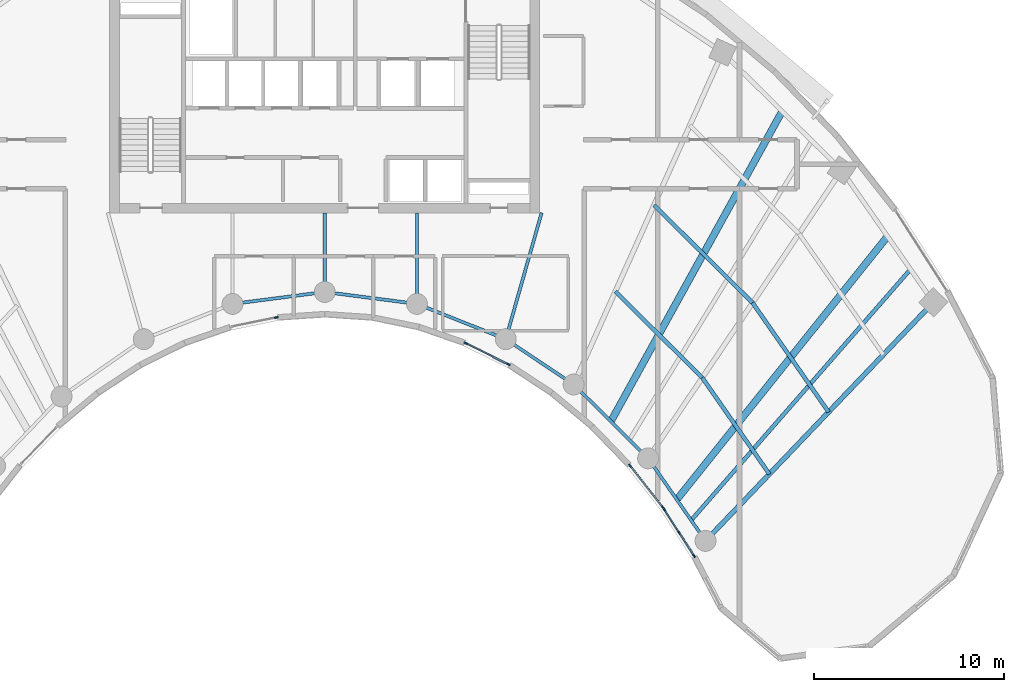
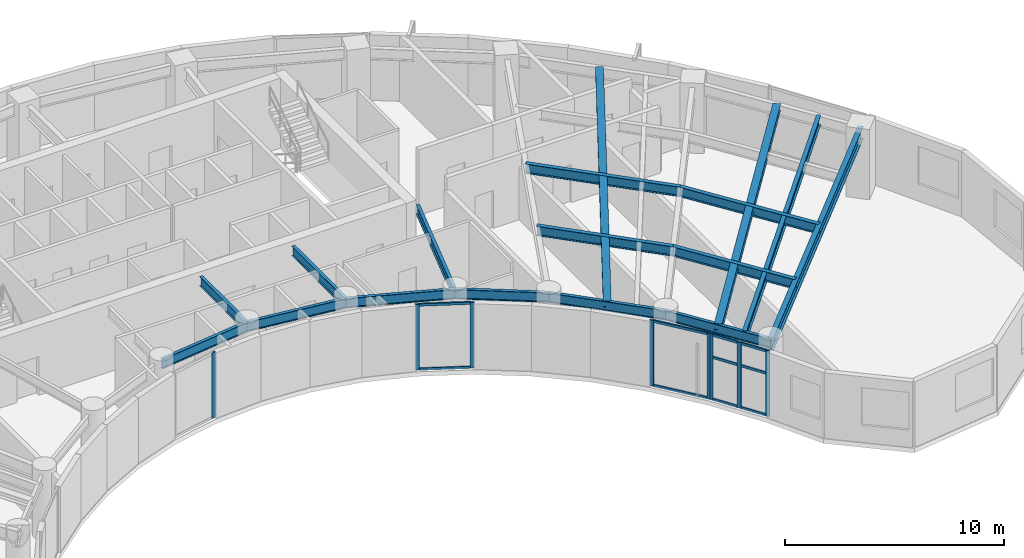
# One storey, part 3 of 14: 18 members, 17 beams, 4 elements without a shape of their own.
"""IFC4 building model written with IfcOpenShell, lengths in metres."""

from ifc_helpers import new_model, si_unit, direction, frame, origin, origin_2d, place, context, subcontext, project, spatial, rectangle, i_section, extrude, source, transform, mapped, material, layer, layer_set, material_profile, profile_set, type_object, type_shapes, element, aggregate, save


model = new_model("IFC4")

# Units and contexts
model_context = context("Model", 3, precision=1e-05, world=origin(), true_north=direction((0.0, 1.0)))
body_context = subcontext(model_context, "Body", "Model", "MODEL_VIEW")
ifc_project = project(units=[si_unit("LENGTHUNIT", "METRE"), si_unit("AREAUNIT", "SQUARE_METRE"), si_unit("VOLUMEUNIT", "CUBIC_METRE"), si_unit("PLANEANGLEUNIT", "RADIAN"), si_unit("MASSUNIT", "GRAM", prefix="KILO")], contexts=[model_context])

# Site, building, storey
site_placement = place(None, origin())
site = spatial("IfcSite", under=ifc_project, at=site_placement, CompositionType="ELEMENT")
building_placement = place(site_placement, origin())
building = spatial("IfcBuilding", under=site, at=building_placement, Name="Breltana Convention Tower", CompositionType="ELEMENT")
storey_placement = place(building_placement, frame((0.0, 0.0, 177.89990234375)))
storey = spatial("IfcBuildingStorey", under=building, at=storey_placement, Name="L43", CompositionType="ELEMENT", Elevation=177.89990234375)

# Beams
ifc_material_1 = material(Name="Steel ASTM A992 Grade 50", Category="steel")
ifc_material_profile_1 = material_profile(ifc_material_1, i_section(OverallWidth=0.2099609375, OverallDepth=0.537109375, WebThickness=0.010986328125, FlangeThickness=0.017333984375, at=origin_2d()), Name="W21X68")
ifc_profile_set_1 = profile_set([ifc_material_profile_1], Name="Steel ASTM A992 Grade 50")
beam_type_1 = type_object("IfcBeamType", Name="BM-JSG-04", PredefinedType="JOIST", material=ifc_profile_set_1)
shared_shape_1 = source(origin(), body_context, "Body", "SweptSolid", [
    extrude(i_section(OverallWidth=0.2099609375, OverallDepth=0.537109375, WebThickness=0.010986328125, FlangeThickness=0.017333984375, at=origin_2d()), origin(), (0.0, 0.0, 1.0), 6.435302734375),
])
beam_1_placement = place(storey_placement, frame((63.27392578125, 56.06298828125, 3.381591796875), z_axis=(0.710116389828, -0.704084308089, 0.0), x_axis=(0.704084308089, 0.710116389828, 0.0)))
element("IfcBeam", 1, at=beam_1_placement, inside=storey, type_object=beam_type_1, Name="L43 Composite Floor Joist 09.1", PredefinedType="JOIST", context=body_context, shape_type="MappedRepresentation", body=[
    mapped(shared_shape_1, transform((0.0, 0.0, 0.0), scale=1.0)),
])
shared_shape_2 = source(origin(), body_context, "Body", "SweptSolid", [
    extrude(i_section(OverallWidth=0.2099609375, OverallDepth=0.537109375, WebThickness=0.010986328125, FlangeThickness=0.017333984375, at=origin_2d()), origin(), (0.0, 0.0, 1.0), 7.29296875),
])
beam_2_placement = place(storey_placement, frame((65.309326171875, 60.602294921875, 3.381591796875), z_axis=(0.710096551013, -0.704104316305, 0.0), x_axis=(0.704104316305, 0.710096551013, 0.0)))
element("IfcBeam", 2, at=beam_2_placement, inside=storey, type_object=beam_type_1, Name="L43 Composite Floor Joist 09.2", PredefinedType="JOIST", context=body_context, shape_type="MappedRepresentation", body=[
    mapped(shared_shape_2, transform((0.0, 0.0, 0.0), scale=1.0)),
])
ifc_material_profile_2 = material_profile(ifc_material_1, i_section(OverallWidth=0.368896484375, OverallDepth=0.35595703125, WebThickness=0.01123046875, FlangeThickness=0.01806640625, at=origin_2d()), Name="W14X90")
ifc_profile_set_2 = profile_set([ifc_material_profile_2], Name="Steel ASTM A992 Grade 50")
beam_type_2 = type_object("IfcBeamType", Name="BM-JSG-09", PredefinedType="JOIST", material=ifc_profile_set_2)
shared_shape_3 = source(origin(), body_context, "Body", "SweptSolid", [
    extrude(i_section(OverallWidth=0.368896484375, OverallDepth=0.35595703125, WebThickness=0.01123046875, FlangeThickness=0.01806640625, at=origin_2d()), origin(), (0.0, 0.0, 1.0), 18.617431640625),
])
beam_3_placement = place(storey_placement, frame((63.038818359375, 49.234130859375, 3.47216796875), z_axis=(0.483405602507, 0.875396495004, 0.0), x_axis=(-0.875396495004, 0.483405602507, 0.0)))
element("IfcBeam", 3, at=beam_3_placement, inside=storey, type_object=beam_type_2, Name="L43 Mid-Bay Radial Trimmer 09", PredefinedType="JOIST", context=body_context, shape_type="MappedRepresentation", body=[
    mapped(shared_shape_3, transform((0.0, 0.0, 0.0), scale=1.0)),
])
shared_shape_4 = source(origin(), body_context, "Body", "SweptSolid", [
    extrude(i_section(OverallWidth=0.2099609375, OverallDepth=0.537109375, WebThickness=0.010986328125, FlangeThickness=0.017333984375, at=origin_2d()), origin(), (0.0, 0.0, 1.0), 6.172119140625),
])
beam_4_placement = place(storey_placement, frame((67.84375, 51.531982421875, 3.381591796875), z_axis=(0.571211663392, -0.820802799462, 0.0), x_axis=(0.820802799462, 0.571211663392, 0.0)))
element("IfcBeam", 4, at=beam_4_placement, inside=storey, type_object=beam_type_1, Name="L43 Composite Floor Joist 10.1", PredefinedType="JOIST", context=body_context, shape_type="MappedRepresentation", body=[
    mapped(shared_shape_4, transform((0.0, 0.0, 0.0), scale=1.0)),
])
shared_shape_5 = source(origin(), body_context, "Body", "SweptSolid", [
    extrude(i_section(OverallWidth=0.2099609375, OverallDepth=0.537109375, WebThickness=0.010986328125, FlangeThickness=0.017333984375, at=origin_2d()), origin(), (0.0, 0.0, 1.0), 6.99462890625),
])
beam_5_placement = place(storey_placement, frame((70.488037109375, 55.46728515625, 3.381591796875), z_axis=(0.571206630732, -0.820806301759, 0.0), x_axis=(0.820806301759, 0.571206630732, 0.0)))
element("IfcBeam", 5, at=beam_5_placement, inside=storey, type_object=beam_type_1, Name="L43 Composite Floor Joist 10.2", PredefinedType="JOIST", context=body_context, shape_type="MappedRepresentation", body=[
    mapped(shared_shape_5, transform((0.0, 0.0, 0.0), scale=1.0)),
])
shared_shape_6 = source(origin(), body_context, "Body", "SweptSolid", [
    extrude(i_section(OverallWidth=0.368896484375, OverallDepth=0.35595703125, WebThickness=0.01123046875, FlangeThickness=0.01806640625, at=origin_2d()), origin(), (0.0, 0.0, 1.0), 17.7236328125),
])
beam_6_placement = place(storey_placement, frame((66.505615234375, 45.124267578125, 3.47216796875), z_axis=(0.624829427563, 0.78076128647, 0.0), x_axis=(-0.78076128647, 0.624829427563, 0.0)))
element("IfcBeam", 6, at=beam_6_placement, inside=storey, type_object=beam_type_2, Name="L43 Mid-Bay Radial Trimmer 10", PredefinedType="JOIST", context=body_context, shape_type="MappedRepresentation", body=[
    mapped(shared_shape_6, transform((0.0, 0.0, 0.0), scale=1.0)),
])
shared_shape_7 = source(origin(), body_context, "Body", "SweptSolid", [
    extrude(i_section(OverallWidth=0.2099609375, OverallDepth=0.537109375, WebThickness=0.010986328125, FlangeThickness=0.017333984375, at=origin_2d()), origin(), (0.0, 0.0, 1.0), 17.515625),
])
beam_7_placement = place(storey_placement, frame((67.260498046875, 44.03955078125, 3.381591796875), z_axis=(0.658051548324, 0.752972881151, 0.0), x_axis=(-0.752972881151, 0.658051548324, 0.0)))
element("IfcBeam", 7, at=beam_7_placement, inside=storey, type_object=beam_type_1, Name="L43 Quarter-Bay Radial Trimmer 10", PredefinedType="JOIST", context=body_context, shape_type="MappedRepresentation", body=[
    mapped(shared_shape_7, transform((0.0, 0.0, 0.0), scale=1.0)),
])
ifc_material_profile_3 = material_profile(ifc_material_1, i_section(OverallWidth=0.25390625, OverallDepth=0.68798828125, WebThickness=0.01318359375, FlangeThickness=0.02099609375, at=origin_2d()), Name="W27X102")
ifc_profile_set_3 = profile_set([ifc_material_profile_3], Name="Steel ASTM A992 Grade 50")
beam_type_3 = type_object("IfcBeamType", Name="BM-RG-W27X102", PredefinedType="USERDEFINED", material=ifc_profile_set_3)
shared_shape_8 = source(origin(), body_context, "Body", "SweptSolid", [
    extrude(i_section(OverallWidth=0.25390625, OverallDepth=0.68798828125, WebThickness=0.01318359375, FlangeThickness=0.02099609375, at=origin_2d()), origin(), (0.0, 0.0, 1.0), 17.341064453125),
])
type_shapes(beam_type_3, [shared_shape_8])
beam_8_placement = place(storey_placement, frame((68.015380859375, 42.95458984375, 3.30615234375), z_axis=(0.690716462293, 0.723125693581, 0.0), x_axis=(-0.723125693581, 0.690716462293, 0.0)))
element("IfcBeam", 8, at=beam_8_placement, inside=storey, type_object=beam_type_3, Name="L43 Radial Floor Girder R11", ObjectType="GIRDER", PredefinedType="USERDEFINED", context=body_context, shape_type="MappedRepresentation", body=[
    mapped(shared_shape_8, transform((0.0, 0.0, 0.0), scale=1.0)),
])
ifc_material_profile_4 = material_profile(ifc_material_1, i_section(OverallWidth=0.166015625, OverallDepth=0.534912109375, WebThickness=0.01025390625, FlangeThickness=0.0166015625, at=origin_2d()), Name="W21X57")
ifc_profile_set_4 = profile_set([ifc_material_profile_4], Name="Steel ASTM A992 Grade 50")
beam_type_4 = type_object("IfcBeamType", Name="BM-BM-W21X57", PredefinedType="BEAM", material=ifc_profile_set_4)
shared_shape_9 = source(origin(), body_context, "Body", "SweptSolid", [
    extrude(i_section(OverallWidth=0.166015625, OverallDepth=0.534912109375, WebThickness=0.01025390625, FlangeThickness=0.0166015625, at=origin_2d()), origin(), (0.0, 0.0, 1.0), 6.904541015625),
])
type_shapes(beam_type_4, [shared_shape_9])
beam_9_placement = place(storey_placement, frame((59.39990234375, 60.199951171875, 3.382568359375), z_axis=(-0.273006781054, -0.962012108811, 0.0), x_axis=(0.962012108811, -0.273006781054, 0.0)))
element("IfcBeam", 9, at=beam_9_placement, inside=storey, type_object=beam_type_4, Name="L43 South Core Tie Girder R08", PredefinedType="BEAM", context=body_context, shape_type="MappedRepresentation", body=[
    mapped(shared_shape_9, transform((0.0, 0.0, 0.0), scale=1.0)),
])
shared_shape_10 = source(origin(), body_context, "Body", "SweptSolid", [
    extrude(i_section(OverallWidth=0.166015625, OverallDepth=0.534912109375, WebThickness=0.01025390625, FlangeThickness=0.0166015625, at=origin_2d()), origin(), (0.0, 0.0, 1.0), 4.789306640625),
])
beam_10_placement = place(storey_placement, frame((52.846435546875, 60.199951171875, 3.382568359375), z_axis=(0.0, -1.0, 0.0), x_axis=(1.0, 0.0, 0.0)))
element("IfcBeam", 10, at=beam_10_placement, inside=storey, type_object=beam_type_4, Name="L43 South Core Tie Girder R07", PredefinedType="BEAM", context=body_context, shape_type="MappedRepresentation", body=[
    mapped(shared_shape_10, transform((0.0, 0.0, 0.0), scale=1.0)),
])
shared_shape_11 = source(origin(), body_context, "Body", "SweptSolid", [
    extrude(i_section(OverallWidth=0.166015625, OverallDepth=0.534912109375, WebThickness=0.01025390625, FlangeThickness=0.0166015625, at=origin_2d()), origin(), (0.0, 0.0, 1.0), 4.1640625),
])
beam_11_placement = place(storey_placement, frame((48.0, 60.199951171875, 3.382568359375), z_axis=(0.0, -1.0, 0.0), x_axis=(1.0, 0.0, 0.0)))
element("IfcBeam", 11, at=beam_11_placement, inside=storey, type_object=beam_type_4, Name="L43 South Core Tie Girder R06", PredefinedType="BEAM", context=body_context, shape_type="MappedRepresentation", body=[
    mapped(shared_shape_11, transform((0.0, 0.0, 0.0), scale=1.0)),
])
shared_shape_12 = source(origin(), body_context, "Body", "SweptSolid", [
    extrude(i_section(OverallWidth=0.166015625, OverallDepth=0.534912109375, WebThickness=0.01025390625, FlangeThickness=0.0166015625, at=origin_2d()), origin(), (0.0, 0.0, 1.0), 5.022705078125),
])
beam_12_placement = place(storey_placement, frame((52.846435546875, 55.41064453125, 3.382568359375), z_axis=(0.929458966248, -0.368925507469, 0.0), x_axis=(0.368925507469, 0.929458966248, 0.0)))
element("IfcBeam", 12, at=beam_12_placement, inside=storey, type_object=beam_type_4, Name="L43 Inner Ring Beam 07", PredefinedType="BEAM", context=body_context, shape_type="MappedRepresentation", body=[
    mapped(shared_shape_12, transform((0.0, 0.0, 0.0), scale=1.0)),
])
shared_shape_13 = source(origin(), body_context, "Body", "SweptSolid", [
    extrude(i_section(OverallWidth=0.166015625, OverallDepth=0.534912109375, WebThickness=0.01025390625, FlangeThickness=0.0166015625, at=origin_2d()), origin(), (0.0, 0.0, 1.0), 4.88671875),
])
for number, where, z_axis, x_axis, name in (
    (13, (43.153564453125, 55.41064453125, 3.382568359375), (0.991780525565, 0.127950729231, 0.0), (-0.127950729231, 0.991780525565, 0.0), "L43 Inner Ring Beam 05"),
    (14, (48.0, 56.035888671875, 3.382568359375), (0.991780525565, -0.127950729231, 0.0), (0.127950729231, 0.991780525565, 0.0), "L43 Inner Ring Beam 06"),
):
    element("IfcBeam", number, at=place(storey_placement, frame(where, z_axis=z_axis, x_axis=x_axis)), inside=storey, type_object=beam_type_4, Name=name, PredefinedType="BEAM", context=body_context, shape_type="MappedRepresentation", body=[
        mapped(shared_shape_13, transform((0.0, 0.0, 0.0), scale=1.0)),
    ])
shared_shape_14 = source(origin(), body_context, "Body", "SweptSolid", [
    extrude(i_section(OverallWidth=0.166015625, OverallDepth=0.534912109375, WebThickness=0.01025390625, FlangeThickness=0.0166015625, at=origin_2d()), origin(), (0.0, 0.0, 1.0), 4.2900390625),
])
beam_13_placement = place(storey_placement, frame((57.514892578125, 53.5576171875, 3.382568359375), z_axis=(0.831515827753, -0.555501060482, 0.0), x_axis=(0.555501060482, 0.831515827753, 0.0)))
element("IfcBeam", 15, at=beam_13_placement, inside=storey, type_object=beam_type_4, Name="L43 Inner Ring Beam 08", PredefinedType="BEAM", context=body_context, shape_type="MappedRepresentation", body=[
    mapped(shared_shape_14, transform((0.0, 0.0, 0.0), scale=1.0)),
])
shared_shape_15 = source(origin(), body_context, "Body", "SweptSolid", [
    extrude(i_section(OverallWidth=0.166015625, OverallDepth=0.534912109375, WebThickness=0.01025390625, FlangeThickness=0.0166015625, at=origin_2d()), origin(), (0.0, 0.0, 1.0), 5.51171875),
])
beam_14_placement = place(storey_placement, frame((61.08203125, 51.174560546875, 3.382568359375), z_axis=(0.710090360749, -0.704110559196, 0.0), x_axis=(0.704110559196, 0.710090360749, 0.0)))
element("IfcBeam", 16, at=beam_14_placement, inside=storey, type_object=beam_type_4, Name="L43 Inner Ring Beam 09", PredefinedType="BEAM", context=body_context, shape_type="MappedRepresentation", body=[
    mapped(shared_shape_15, transform((0.0, 0.0, 0.0), scale=1.0)),
])
shared_shape_16 = source(origin(), body_context, "Body", "SweptSolid", [
    extrude(i_section(OverallWidth=0.166015625, OverallDepth=0.534912109375, WebThickness=0.01025390625, FlangeThickness=0.0166015625, at=origin_2d()), origin(), (0.0, 0.0, 1.0), 5.286376953125),
])
beam_15_placement = place(storey_placement, frame((64.995849609375, 47.293701171875, 3.382568359375), z_axis=(0.571194382458, -0.82081482531, 0.0), x_axis=(0.82081482531, 0.571194382458, 0.0)))
element("IfcBeam", 17, at=beam_15_placement, inside=storey, type_object=beam_type_4, Name="L43 Inner Ring Beam 10", PredefinedType="BEAM", context=body_context, shape_type="MappedRepresentation", body=[
    mapped(shared_shape_16, transform((0.0, 0.0, 0.0), scale=1.0)),
])

# Curtain wall, members
ifc_material_2 = material(Name="Aluminium Anodised Bronze Frame", Category="aluminium")
ifc_layer = layer(ifc_material_2, 0.18994140625, Name="Aluminium Anodised Bronze Frame")
ifc_layer_set = layer_set([ifc_layer], Name="Aluminium Anodised Bronze Frame")
curtain_wall_type = type_object("IfcCurtainWallType", Name="CW-SYS-1", PredefinedType="NOTDEFINED", material=ifc_layer_set)
curtain_wall_1_placement = place(storey_placement, origin())
curtain_wall_1 = element("IfcCurtainWall", 18, at=curtain_wall_1_placement, inside=storey, type_object=curtain_wall_type, Name="L43 inner south-court glazing 1", PredefinedType="NOTDEFINED")
ifc_material_3 = material(Name="Aluminium Anodised Bronze", Category="aluminium")
ifc_material_profile_5 = material_profile(ifc_material_3, rectangle(XDim=0.080078125, YDim=0.199951171875, at=origin_2d()), Name="CWM-80X200")
ifc_profile_set_5 = profile_set([ifc_material_profile_5], Name="Aluminium Anodised Bronze")
member_type_1 = type_object("IfcMemberType", Name="CWM-200", PredefinedType="MULLION", material=ifc_profile_set_5)
shared_shape_17 = source(origin(), body_context, "Body", "SweptSolid", [
    extrude(rectangle(XDim=0.080078125, YDim=0.199951171875, at=origin_2d()), origin(), (0.0, 0.0, 1.0), 3.650146484375),
])
member_1_placement = place(storey_placement, frame((67.40966796875, 42.17041015625, 0.0), z_axis=(0.0, 0.0, 1.0), x_axis=(-0.841546744491, -0.540184298954, 0.0)))
member_1 = element("IfcMember", 19, at=member_1_placement, type_object=member_type_1, Name="CW-01 mullion 1", PredefinedType="MULLION", context=body_context, shape_type="MappedRepresentation", body=[
    mapped(shared_shape_17, transform((0.0, 0.0, 0.0), scale=1.0)),
])
member_2_placement = place(storey_placement, frame((66.626220703125, 43.390869140625, 0.0), z_axis=(0.0, 0.0, 1.0), x_axis=(-0.841546744491, -0.540184298954, 0.0)))
member_2 = element("IfcMember", 20, at=member_2_placement, type_object=member_type_1, Name="CW-01 mullion 2", PredefinedType="MULLION", context=body_context, shape_type="MappedRepresentation", body=[
    mapped(shared_shape_17, transform((0.0, 0.0, 0.0), scale=1.0)),
])
member_3_placement = place(storey_placement, frame((65.843017578125, 44.611328125, 0.0), z_axis=(0.0, 0.0, 1.0), x_axis=(-0.841546744491, -0.540184298954, 0.0)))
member_3 = element("IfcMember", 21, at=member_3_placement, type_object=member_type_1, Name="CW-01 mullion 3", PredefinedType="MULLION", context=body_context, shape_type="MappedRepresentation", body=[
    mapped(shared_shape_17, transform((0.0, 0.0, 0.0), scale=1.0)),
])

curtain_wall_2_placement = place(storey_placement, origin())
curtain_wall_2 = element("IfcCurtainWall", 22, at=curtain_wall_2_placement, inside=storey, type_object=curtain_wall_type, Name="L43 inner south-court glazing 2", PredefinedType="NOTDEFINED")
member_4_placement = place(storey_placement, frame((65.78662109375, 44.6904296875, 0.0), z_axis=(0.0, 0.0, 1.0), x_axis=(-0.786051168431, -0.618161435717, 0.0)))
member_4 = element("IfcMember", 23, at=member_4_placement, type_object=member_type_1, Name="CW-01 mullion 1", PredefinedType="MULLION", context=body_context, shape_type="MappedRepresentation", body=[
    mapped(shared_shape_17, transform((0.0, 0.0, 0.0), scale=1.0)),
])
member_5_placement = place(storey_placement, frame((64.045166015625, 46.905029296875, 0.0), z_axis=(0.0, 0.0, 1.0), x_axis=(-0.786051168431, -0.618161435717, 0.0)))
member_5 = element("IfcMember", 24, at=member_5_placement, type_object=member_type_1, Name="CW-01 mullion 2", PredefinedType="MULLION", context=body_context, shape_type="MappedRepresentation", body=[
    mapped(shared_shape_17, transform((0.0, 0.0, 0.0), scale=1.0)),
])

curtain_wall_3_placement = place(storey_placement, origin())
curtain_wall_3 = element("IfcCurtainWall", 25, at=curtain_wall_3_placement, inside=storey, type_object=curtain_wall_type, Name="L43 inner south-court glazing 3", PredefinedType="NOTDEFINED")
member_6_placement = place(storey_placement, frame((57.65625, 52.23095703125, 0.0), z_axis=(0.0, 0.0, 1.0), x_axis=(-0.444115496562, -0.895969545082, 0.0)))
member_6 = element("IfcMember", 26, at=member_6_placement, type_object=member_type_1, Name="CW-01 mullion 1", PredefinedType="MULLION", context=body_context, shape_type="MappedRepresentation", body=[
    mapped(shared_shape_17, transform((0.0, 0.0, 0.0), scale=1.0)),
])
member_7_placement = place(storey_placement, frame((55.412353515625, 53.34326171875, 0.0), z_axis=(0.0, 0.0, 1.0), x_axis=(-0.444115496562, -0.895969545082, 0.0)))
member_7 = element("IfcMember", 27, at=member_7_placement, type_object=member_type_1, Name="CW-01 mullion 2", PredefinedType="MULLION", context=body_context, shape_type="MappedRepresentation", body=[
    mapped(shared_shape_17, transform((0.0, 0.0, 0.0), scale=1.0)),
])

# Curtain wall, member
curtain_wall_4_placement = place(storey_placement, origin())
curtain_wall_4 = element("IfcCurtainWall", 28, at=curtain_wall_4_placement, inside=storey, type_object=curtain_wall_type, Name="L43 inner south-court glazing 4", PredefinedType="NOTDEFINED")
member_8_placement = place(storey_placement, frame((45.458740234375, 54.69677734375, 0.0), z_axis=(0.0, 0.0, 1.0), x_axis=(0.200861178299, -0.979619715529, 0.0)))
member_8 = element("IfcMember", 29, at=member_8_placement, type_object=member_type_1, Name="CW-01 mullion 1", PredefinedType="MULLION", context=body_context, shape_type="MappedRepresentation", body=[
    mapped(shared_shape_17, transform((0.0, 0.0, 0.0), scale=1.0)),
])
aggregate(curtain_wall_4, [member_8])

# Member
ifc_material_profile_6 = material_profile(ifc_material_3, rectangle(XDim=0.080078125, YDim=0.139892578125, at=origin_2d()), Name="CWT-80X140")
ifc_profile_set_6 = profile_set([ifc_material_profile_6], Name="Aluminium Anodised Bronze")
member_type_2 = type_object("IfcMemberType", Name="CWT-140", PredefinedType="USERDEFINED", material=ifc_profile_set_6)
shared_shape_18 = source(origin(), body_context, "Body", "SweptSolid", [
    extrude(rectangle(XDim=0.080078125, YDim=0.139892578125, at=origin_2d()), origin(), (0.0, 0.0, 1.0), 1.3701171875),
])
member_9_placement = place(storey_placement, frame((67.38818359375, 42.2041015625, 0.0400390625), z_axis=(-0.540226175019, 0.841519863, 0.0), x_axis=(-0.841519863, -0.540226175019, 0.0)))
member_9 = element("IfcMember", 30, at=member_9_placement, type_object=member_type_2, Name="CW-01 transom 1.1", ObjectType="TRANSOM", PredefinedType="USERDEFINED", context=body_context, shape_type="MappedRepresentation", body=[
    mapped(shared_shape_18, transform((0.0, 0.0, 0.0), scale=1.0)),
])

member_10_placement = place(storey_placement, frame((67.38818359375, 42.2041015625, 2.37255859375), z_axis=(-0.540226175019, 0.841519863, 0.0), x_axis=(-0.841519863, -0.540226175019, 0.0)))
member_10 = element("IfcMember", 31, at=member_10_placement, type_object=member_type_2, Name="CW-01 transom 1.2", ObjectType="TRANSOM", PredefinedType="USERDEFINED", context=body_context, shape_type="MappedRepresentation", body=[
    mapped(shared_shape_18, transform((0.0, 0.0, 0.0), scale=1.0)),
])

member_11_placement = place(storey_placement, frame((67.38818359375, 42.2041015625, 3.610107421875), z_axis=(-0.540226175019, 0.841519863, 0.0), x_axis=(-0.841519863, -0.540226175019, 0.0)))
member_11 = element("IfcMember", 32, at=member_11_placement, type_object=member_type_2, Name="CW-01 transom 1.3", ObjectType="TRANSOM", PredefinedType="USERDEFINED", context=body_context, shape_type="MappedRepresentation", body=[
    mapped(shared_shape_18, transform((0.0, 0.0, 0.0), scale=1.0)),
])

member_12_placement = place(storey_placement, frame((66.604736328125, 43.424560546875, 0.0400390625), z_axis=(-0.540226175019, 0.841519863, 0.0), x_axis=(-0.841519863, -0.540226175019, 0.0)))
member_12 = element("IfcMember", 33, at=member_12_placement, type_object=member_type_2, Name="CW-01 transom 2.1", ObjectType="TRANSOM", PredefinedType="USERDEFINED", context=body_context, shape_type="MappedRepresentation", body=[
    mapped(shared_shape_18, transform((0.0, 0.0, 0.0), scale=1.0)),
])

member_13_placement = place(storey_placement, frame((66.604736328125, 43.424560546875, 2.37255859375), z_axis=(-0.540226175019, 0.841519863, 0.0), x_axis=(-0.841519863, -0.540226175019, 0.0)))
member_13 = element("IfcMember", 34, at=member_13_placement, type_object=member_type_2, Name="CW-01 transom 2.2", ObjectType="TRANSOM", PredefinedType="USERDEFINED", context=body_context, shape_type="MappedRepresentation", body=[
    mapped(shared_shape_18, transform((0.0, 0.0, 0.0), scale=1.0)),
])

member_14_placement = place(storey_placement, frame((66.604736328125, 43.424560546875, 3.610107421875), z_axis=(-0.540226175019, 0.841519863, 0.0), x_axis=(-0.841519863, -0.540226175019, 0.0)))
member_14 = element("IfcMember", 35, at=member_14_placement, type_object=member_type_2, Name="CW-01 transom 2.3", ObjectType="TRANSOM", PredefinedType="USERDEFINED", context=body_context, shape_type="MappedRepresentation", body=[
    mapped(shared_shape_18, transform((0.0, 0.0, 0.0), scale=1.0)),
])

aggregate(curtain_wall_1, [member_1, member_2, member_3, member_9, member_10, member_11, member_12, member_13, member_14])

shared_shape_19 = source(origin(), body_context, "Body", "SweptSolid", [
    extrude(rectangle(XDim=0.080078125, YDim=0.139892578125, at=origin_2d()), origin(), (0.0, 0.0, 1.0), 2.7373046875),
])
member_15_placement = place(storey_placement, frame((65.761962890625, 44.721923828125, 0.0400390625), z_axis=(-0.618179938224, 0.786036617453, 0.0), x_axis=(-0.786036617453, -0.618179938224, 0.0)))
member_15 = element("IfcMember", 36, at=member_15_placement, type_object=member_type_2, Name="CW-01 transom 1.1", ObjectType="TRANSOM", PredefinedType="USERDEFINED", context=body_context, shape_type="MappedRepresentation", body=[
    mapped(shared_shape_19, transform((0.0, 0.0, 0.0), scale=1.0)),
])

member_16_placement = place(storey_placement, frame((65.761962890625, 44.721923828125, 3.610107421875), z_axis=(-0.618179938224, 0.786036617453, 0.0), x_axis=(-0.786036617453, -0.618179938224, 0.0)))
member_16 = element("IfcMember", 37, at=member_16_placement, type_object=member_type_2, Name="CW-01 transom 1.2", ObjectType="TRANSOM", PredefinedType="USERDEFINED", context=body_context, shape_type="MappedRepresentation", body=[
    mapped(shared_shape_19, transform((0.0, 0.0, 0.0), scale=1.0)),
])

aggregate(curtain_wall_2, [member_4, member_5, member_15, member_16])

shared_shape_20 = source(origin(), body_context, "Body", "SweptSolid", [
    extrude(rectangle(XDim=0.080078125, YDim=0.139892578125, at=origin_2d()), origin(), (0.0, 0.0, 1.0), 2.42431640625),
])
member_17_placement = place(storey_placement, frame((57.620361328125, 52.248779296875, 0.0400390625), z_axis=(-0.895932597015, 0.44419002871, 0.0), x_axis=(-0.44419002871, -0.895932597015, 0.0)))
member_17 = element("IfcMember", 38, at=member_17_placement, type_object=member_type_2, Name="CW-01 transom 1.1", ObjectType="TRANSOM", PredefinedType="USERDEFINED", context=body_context, shape_type="MappedRepresentation", body=[
    mapped(shared_shape_20, transform((0.0, 0.0, 0.0), scale=1.0)),
])

member_18_placement = place(storey_placement, frame((57.620361328125, 52.248779296875, 3.610107421875), z_axis=(-0.895932597015, 0.44419002871, 0.0), x_axis=(-0.44419002871, -0.895932597015, 0.0)))
member_18 = element("IfcMember", 39, at=member_18_placement, type_object=member_type_2, Name="CW-01 transom 1.2", ObjectType="TRANSOM", PredefinedType="USERDEFINED", context=body_context, shape_type="MappedRepresentation", body=[
    mapped(shared_shape_20, transform((0.0, 0.0, 0.0), scale=1.0)),
])

aggregate(curtain_wall_3, [member_6, member_7, member_17, member_18])

save(model, "model.ifc")
